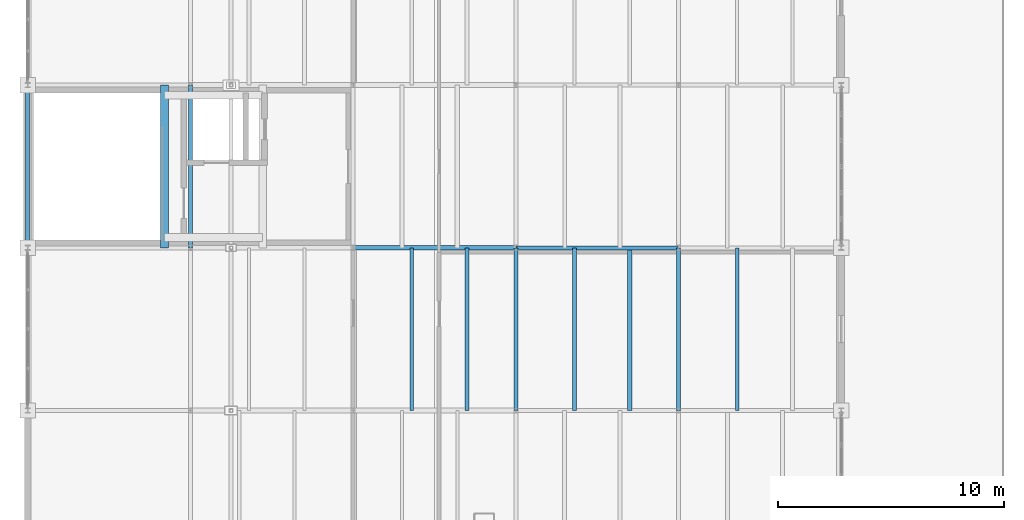
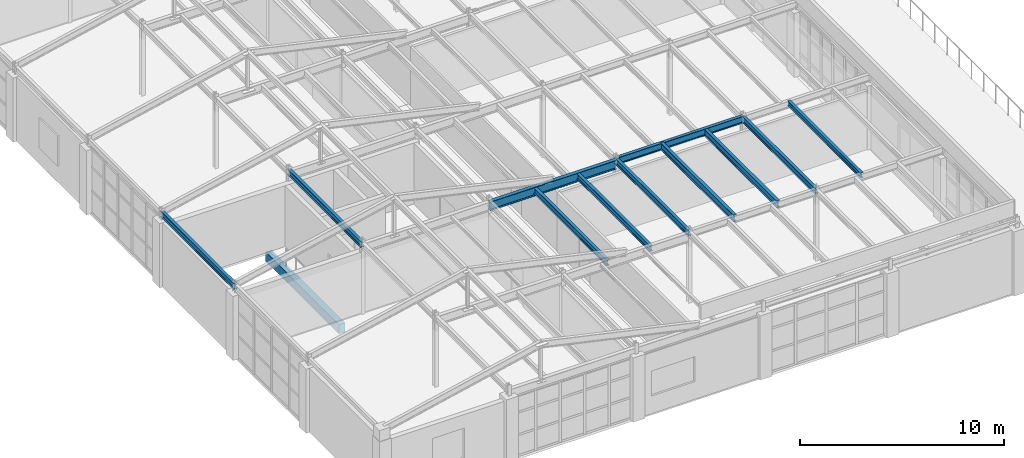
# One storey, part 14 of 43: 12 beams.
"""IFC4 building model written with IfcOpenShell, lengths in metres."""

from ifc_helpers import new_model, si_unit, direction, frame, origin, origin_2d, place, context, subcontext, project, spatial, rectangle, i_section, extrude, material, material_profile, profile_set, type_object, element, save


model = new_model("IFC4")

# Units and contexts
model_context = context("Model", 3, precision=1e-05, world=origin(), true_north=direction((0.0, 1.0)))
body_context = subcontext(model_context, "Body", "Model", "MODEL_VIEW")
ifc_project = project(units=[si_unit("LENGTHUNIT", "METRE"), si_unit("AREAUNIT", "SQUARE_METRE"), si_unit("VOLUMEUNIT", "CUBIC_METRE"), si_unit("PLANEANGLEUNIT", "RADIAN"), si_unit("MASSUNIT", "GRAM", prefix="KILO")], contexts=[model_context])

# Site, building, storey
site_placement = place(None, origin())
site = spatial("IfcSite", under=ifc_project, at=site_placement, CompositionType="ELEMENT")
building_placement = place(site_placement, origin())
building = spatial("IfcBuilding", under=site, at=building_placement, Name="Kemerveld Promenade Tramway Depot", CompositionType="ELEMENT")
storey_placement = place(building_placement, frame((0.0, 0.0, 18.89990234375)))
storey = spatial("IfcBuildingStorey", under=building, at=storey_placement, Name="L04", CompositionType="ELEMENT", Elevation=18.89990234375)

# Beams
ifc_material_1 = material(Name="Steel S355", Category="steel")
ifc_material_profile_1 = material_profile(ifc_material_1, i_section(OverallWidth=0.2099609375, OverallDepth=0.53662109375, WebThickness=0.0107421875, FlangeThickness=0.017333984375, FilletRadius=0.0126953125, at=origin_2d()), Name="533x210x101 UB")
ifc_profile_set_1 = profile_set([ifc_material_profile_1], Name="Steel S355")
beam_type_1 = type_object("IfcBeamType", Name="BM-G05", PredefinedType="BEAM", material=ifc_profile_set_1)
beam_1_placement = place(storey_placement, frame((14.39990234375, 14.39990234375, 3.94677734375), z_axis=(1.0, 0.0, 0.0), x_axis=(0.0, 1.0, 0.0)))
element("IfcBeam", 1, at=beam_1_placement, inside=storey, type_object=beam_type_1, Name="BMX-L04-03-04-C", PredefinedType="BEAM", context=body_context, shape_type="SweptSolid", body=[
    extrude(i_section(OverallWidth=0.2099609375, OverallDepth=0.53662109375, WebThickness=0.0107421875, FlangeThickness=0.017333984375, FilletRadius=0.0126953125, at=origin_2d()), origin(), (0.0, 0.0, 1.0), 7.2001953125),
])
ifc_material_profile_2 = material_profile(ifc_material_1, i_section(OverallWidth=0.1787109375, OverallDepth=0.409423828125, WebThickness=0.0087890625, FlangeThickness=0.014404296875, FilletRadius=0.01025390625, at=origin_2d()), Name="406x178x67 UB")
ifc_profile_set_2 = profile_set([ifc_material_profile_2], Name="Steel S355")
beam_type_2 = type_object("IfcBeamType", Name="BM-G07", PredefinedType="BEAM", material=ifc_profile_set_2)
beam_2_placement = place(storey_placement, frame((21.60009765625, 14.39990234375, 4.115478515625), z_axis=(1.0, 0.0, 0.0), x_axis=(0.0, 1.0, 0.0)))
element("IfcBeam", 2, at=beam_2_placement, inside=storey, type_object=beam_type_2, Name="BMX-L04-04-05-C", PredefinedType="BEAM", context=body_context, shape_type="SweptSolid", body=[
    extrude(i_section(OverallWidth=0.1787109375, OverallDepth=0.409423828125, WebThickness=0.0087890625, FlangeThickness=0.014404296875, FilletRadius=0.01025390625, at=origin_2d()), origin(), (0.0, 0.0, 1.0), 7.199951171875),
])
ifc_material_profile_3 = material_profile(ifc_material_1, i_section(OverallWidth=0.172119140625, OverallDepth=0.35791015625, WebThickness=0.008056640625, FlangeThickness=0.012939453125, FilletRadius=0.01025390625, at=origin_2d()), Name="356x171x57 UB")
ifc_profile_set_3 = profile_set([ifc_material_profile_3], Name="Steel S355")
beam_type_3 = type_object("IfcBeamType", Name="BM-G08", PredefinedType="BEAM", material=ifc_profile_set_3)
for number, where, z_axis, x_axis, name in (
    (3, (0.0, 14.39990234375, 4.14111328125), (0.0, 1.0, 0.0), (-1.0, 0.0, 0.0), "BMY-L04-01-C-D"),
    (4, (7.199951171875, 14.39990234375, 4.14111328125), (0.0, 1.0, 0.0), (-1.0, 0.0, 0.0), "BMY-L04-02-C-D"),
):
    element("IfcBeam", number, at=place(storey_placement, frame(where, z_axis=z_axis, x_axis=x_axis)), inside=storey, type_object=beam_type_3, Name=name, PredefinedType="BEAM", context=body_context, shape_type="SweptSolid", body=[
        extrude(i_section(OverallWidth=0.172119140625, OverallDepth=0.35791015625, WebThickness=0.008056640625, FlangeThickness=0.012939453125, FilletRadius=0.01025390625, at=origin_2d()), origin(), (0.0, 0.0, 1.0), 7.2001953125),
    ])
for number, where, z_axis, x_axis, name in (
    (5, (21.60009765625, 7.199951171875, 4.14111328125), (0.0, 1.0, 0.0), (-1.0, 0.0, 0.0), "BMY-L04-04-B-C"),
    (6, (28.800048828125, 7.199951171875, 4.14111328125), (0.0, 1.0, 0.0), (-1.0, 0.0, 0.0), "BMY-L04-05-B-C"),
):
    element("IfcBeam", number, at=place(storey_placement, frame(where, z_axis=z_axis, x_axis=x_axis)), inside=storey, type_object=beam_type_3, Name=name, PredefinedType="BEAM", context=body_context, shape_type="SweptSolid", body=[
        extrude(i_section(OverallWidth=0.172119140625, OverallDepth=0.35791015625, WebThickness=0.008056640625, FlangeThickness=0.012939453125, FilletRadius=0.01025390625, at=origin_2d()), origin(), (0.0, 0.0, 1.0), 7.199951171875),
    ])
ifc_material_profile_4 = material_profile(ifc_material_1, i_section(OverallWidth=0.165771484375, OverallDepth=0.306640625, WebThickness=0.006591796875, FlangeThickness=0.01171875, FilletRadius=0.0087890625, at=origin_2d()), Name="305x165x46 UB")
ifc_profile_set_4 = profile_set([ifc_material_profile_4], Name="Steel S355")
beam_type_4 = type_object("IfcBeamType", Name="BM-J01", PredefinedType="JOIST", material=ifc_profile_set_4)
beam_3_placement = place(storey_placement, frame((31.39208984375, 7.199951171875, 4.166748046875), z_axis=(0.0, 1.0, 0.0), x_axis=(-1.0, 0.0, 0.0)))
element("IfcBeam", 7, at=beam_3_placement, inside=storey, type_object=beam_type_4, Name="JST-L04-05-B-1", PredefinedType="JOIST", context=body_context, shape_type="SweptSolid", body=[
    extrude(i_section(OverallWidth=0.165771484375, OverallDepth=0.306640625, WebThickness=0.006591796875, FlangeThickness=0.01171875, FilletRadius=0.0087890625, at=origin_2d()), origin(), (0.0, 0.0, 1.0), 7.199951171875),
])
ifc_material_profile_5 = material_profile(ifc_material_1, i_section(OverallWidth=0.172119140625, OverallDepth=0.35791015625, WebThickness=0.008056640625, FlangeThickness=0.012939453125, FilletRadius=0.01025390625, at=origin_2d()), Name="356x171x57 UB")
ifc_profile_set_5 = profile_set([ifc_material_profile_5], Name="Steel S355")
beam_type_5 = type_object("IfcBeamType", Name="BM-J04", PredefinedType="JOIST", material=ifc_profile_set_5)
for number, where, z_axis, x_axis, name in (
    (8, (16.991943359375, 7.199951171875, 3.97607421875), (0.0, 1.0, 0.0), (-1.0, 0.0, 0.0), "JST-L04-03-B-1"),
    (9, (19.43994140625, 7.199951171875, 3.97607421875), (0.0, 1.0, 0.0), (-1.0, 0.0, 0.0), "JST-L04-03-B-2"),
):
    element("IfcBeam", number, at=place(storey_placement, frame(where, z_axis=z_axis, x_axis=x_axis)), inside=storey, type_object=beam_type_5, Name=name, PredefinedType="JOIST", context=body_context, shape_type="SweptSolid", body=[
        extrude(i_section(OverallWidth=0.172119140625, OverallDepth=0.35791015625, WebThickness=0.008056640625, FlangeThickness=0.012939453125, FilletRadius=0.01025390625, at=origin_2d()), origin(), (0.0, 0.0, 1.0), 7.199951171875),
    ])
ifc_material_profile_6 = material_profile(ifc_material_1, i_section(OverallWidth=0.1787109375, OverallDepth=0.409423828125, WebThickness=0.0087890625, FlangeThickness=0.014404296875, FilletRadius=0.01025390625, at=origin_2d()), Name="406x178x67 UB")
ifc_profile_set_6 = profile_set([ifc_material_profile_6], Name="Steel S355")
beam_type_6 = type_object("IfcBeamType", Name="BM-J05", PredefinedType="JOIST", material=ifc_profile_set_6)
for number, where, z_axis, x_axis, name in (
    (10, (24.19189453125, 7.199951171875, 4.115478515625), (0.0, 1.0, 0.0), (-1.0, 0.0, 0.0), "JST-L04-04-B-1"),
    (11, (26.639892578125, 7.199951171875, 4.115478515625), (0.0, 1.0, 0.0), (-1.0, 0.0, 0.0), "JST-L04-04-B-2"),
):
    element("IfcBeam", number, at=place(storey_placement, frame(where, z_axis=z_axis, x_axis=x_axis)), inside=storey, type_object=beam_type_6, Name=name, PredefinedType="JOIST", context=body_context, shape_type="SweptSolid", body=[
        extrude(i_section(OverallWidth=0.1787109375, OverallDepth=0.409423828125, WebThickness=0.0087890625, FlangeThickness=0.014404296875, FilletRadius=0.01025390625, at=origin_2d()), origin(), (0.0, 0.0, 1.0), 7.199951171875),
    ])
ifc_material_2 = material(Name="Concrete C40/50", Category="concrete")
ifc_material_profile_7 = material_profile(ifc_material_2, rectangle(XDim=0.35009765625, YDim=0.550048828125, at=origin_2d()), Name="RC-BM-350x550")
ifc_profile_set_7 = profile_set([ifc_material_profile_7], Name="Concrete C40/50")
beam_type_7 = type_object("IfcBeamType", Name="BM-RC3", PredefinedType="BEAM", material=ifc_profile_set_7)
beam_4_placement = place(storey_placement, frame((6.050048828125, 14.39990234375, -0.5), z_axis=(0.0, 1.0, 0.0), x_axis=(-1.0, 0.0, 0.0)))
element("IfcBeam", 12, at=beam_4_placement, inside=storey, type_object=beam_type_7, Name="BM-CORE-C1-L04-W", PredefinedType="BEAM", context=body_context, shape_type="SweptSolid", body=[
    extrude(rectangle(XDim=0.35009765625, YDim=0.550048828125, at=origin_2d()), origin(), (0.0, 0.0, 1.0), 7.2001953125),
])

save(model, "model.ifc")
